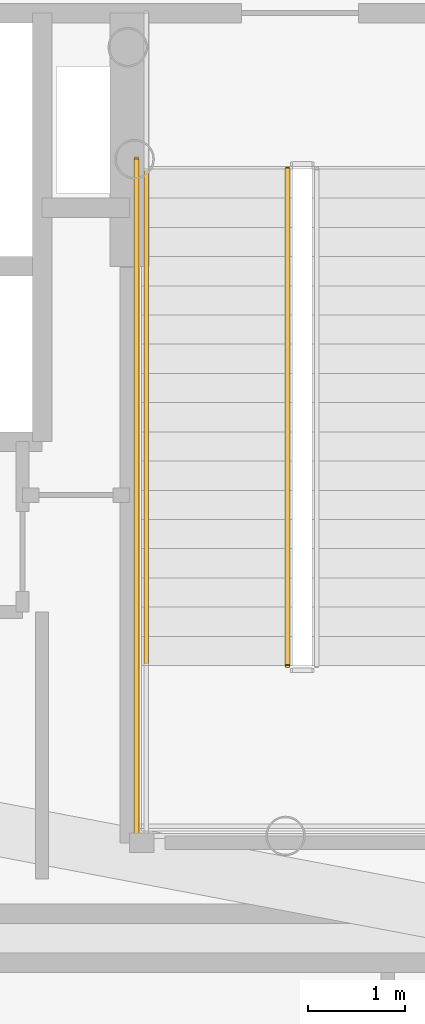
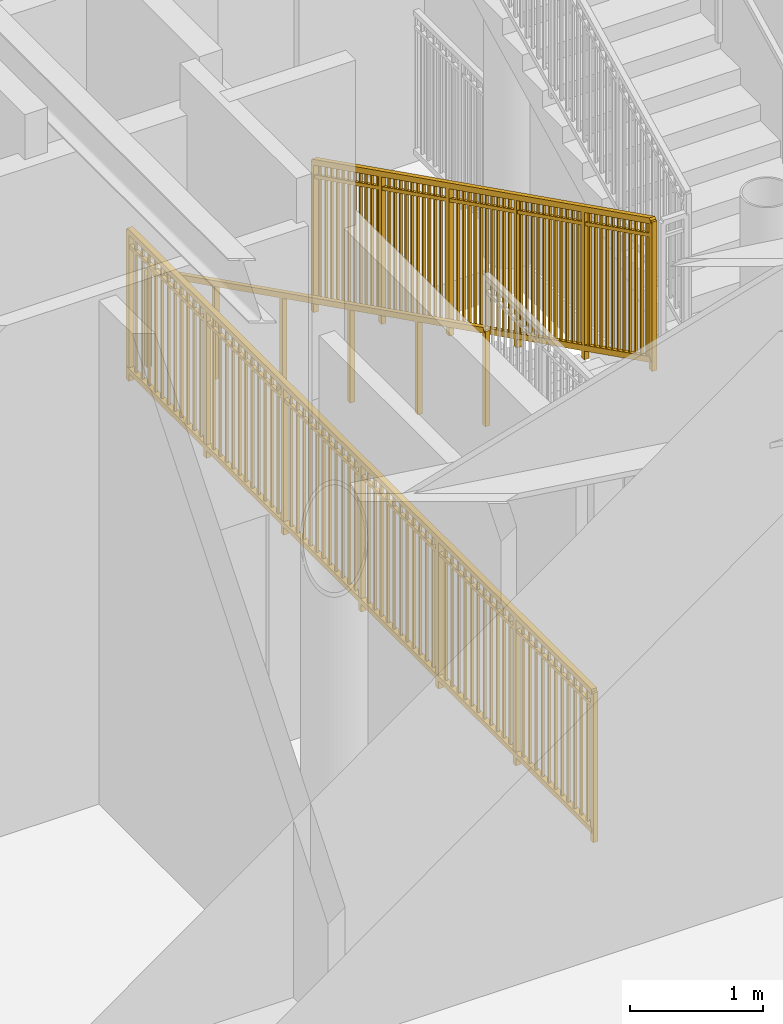
# One storey, part 12 of 14: 3 railings.
"""IFC4 building model written with IfcOpenShell, lengths in metres."""

from ifc_helpers import new_model, si_unit, direction, frame, origin, origin_2d, place, context, subcontext, project, spatial, rectangle, extrude, source, transform, mapped, material, type_object, element, save


model = new_model("IFC4")

# Units and contexts
model_context = context("Model", 3, precision=1e-05, world=origin(), true_north=direction((0.0, 1.0)))
body_context = subcontext(model_context, "Body", "Model", "MODEL_VIEW")
ifc_project = project(units=[si_unit("LENGTHUNIT", "METRE"), si_unit("AREAUNIT", "SQUARE_METRE"), si_unit("VOLUMEUNIT", "CUBIC_METRE"), si_unit("PLANEANGLEUNIT", "RADIAN"), si_unit("MASSUNIT", "GRAM", prefix="KILO")], contexts=[model_context])

# Site, building, storey
site_placement = place(None, origin())
site = spatial("IfcSite", under=ifc_project, at=site_placement, CompositionType="ELEMENT")
building_placement = place(site_placement, origin())
building = spatial("IfcBuilding", under=site, at=building_placement, Name="Linh Dai School and Residence Tower", CompositionType="ELEMENT")
storey_placement = place(building_placement, frame((0.0, 0.0, 262.800048828125)))
storey = spatial("IfcBuildingStorey", under=building, at=storey_placement, Name="L65", CompositionType="ELEMENT", Elevation=262.800048828125)

# Railings
ifc_material_1 = material(Name="Structural Steel S355JR", Category="steel")
railing_type_1 = type_object("IfcRailingType", Name="RL-ST-GUARD-1400", PredefinedType="GUARDRAIL", material=ifc_material_1)
shared_shape_1 = source(origin(), body_context, "Body", "SweptSolid", [
    extrude(rectangle(XDim=0.048095703125, YDim=0.048095703125, at=origin_2d()), frame((0.0, 0.0, 1.3759765625), z_axis=(0.0, -0.894427191, 0.4472135955), x_axis=(1.0, 0.0, 0.0)), (0.0, 0.0, 1.0), 5.7021484375),
    extrude(rectangle(XDim=0.048095703125, YDim=0.048095703125, at=origin_2d()), frame((0.0, 0.0, 0.10009765625), z_axis=(0.0, -0.894427191, 0.4472135955), x_axis=(1.0, 0.0, 0.0)), (0.0, 0.0, 1.0), 5.7021484375),
    extrude(rectangle(XDim=0.030029296875, YDim=0.030029296875, at=origin_2d()), frame((0.0, 0.0, 1.239990234375), z_axis=(0.0, -0.894427191, 0.4472135955), x_axis=(1.0, 0.0, 0.0)), (0.0, 0.0, 1.0), 5.7021484375),
    extrude(rectangle(XDim=0.02001953125, YDim=0.02001953125, at=origin_2d()), frame((0.0, -0.08642578125, 0.143310546875)), (0.0, 0.0, 1.0), 1.251708984375),
    extrude(rectangle(XDim=0.02001953125, YDim=0.02001953125, at=origin_2d()), frame((0.0, -0.1728515625, 0.1865234375)), (0.0, 0.0, 1.0), 1.251708984375),
    extrude(rectangle(XDim=0.02001953125, YDim=0.02001953125, at=origin_2d()), frame((0.0, -0.25927734375, 0.229736328125)), (0.0, 0.0, 1.0), 1.251708984375),
    extrude(rectangle(XDim=0.02001953125, YDim=0.02001953125, at=origin_2d()), frame((0.0, -0.345703125, 0.27294921875)), (0.0, 0.0, 1.0), 1.251708984375),
    extrude(rectangle(XDim=0.02001953125, YDim=0.02001953125, at=origin_2d()), frame((0.0, -0.43212890625, 0.316162109375)), (0.0, 0.0, 1.0), 1.251708984375),
    extrude(rectangle(XDim=0.02001953125, YDim=0.02001953125, at=origin_2d()), frame((0.0, -0.5185546875, 0.359375)), (0.0, 0.0, 1.0), 1.251708984375),
    extrude(rectangle(XDim=0.02001953125, YDim=0.02001953125, at=origin_2d()), frame((0.0, -0.60498046875, 0.402587890625)), (0.0, 0.0, 1.0), 1.251708984375),
    extrude(rectangle(XDim=0.02001953125, YDim=0.02001953125, at=origin_2d()), frame((0.0, -0.691650390625, 0.44580078125)), (0.0, 0.0, 1.0), 1.251708984375),
    extrude(rectangle(XDim=0.02001953125, YDim=0.02001953125, at=origin_2d()), frame((0.0, -0.778076171875, 0.489013671875)), (0.0, 0.0, 1.0), 1.251708984375),
    extrude(rectangle(XDim=0.02001953125, YDim=0.02001953125, at=origin_2d()), frame((0.0, -0.864501953125, 0.5322265625)), (0.0, 0.0, 1.0), 1.251708984375),
    extrude(rectangle(XDim=0.02001953125, YDim=0.02001953125, at=origin_2d()), frame((0.0, -0.950927734375, 0.575439453125)), (0.0, 0.0, 1.0), 1.251708984375),
    extrude(rectangle(XDim=0.02001953125, YDim=0.02001953125, at=origin_2d()), frame((0.0, -1.123779296875, 0.661865234375)), (0.0, 0.0, 1.0), 1.251708984375),
    extrude(rectangle(XDim=0.02001953125, YDim=0.02001953125, at=origin_2d()), frame((0.0, -1.210205078125, 0.705078125)), (0.0, 0.0, 1.0), 1.251708984375),
    extrude(rectangle(XDim=0.02001953125, YDim=0.02001953125, at=origin_2d()), frame((0.0, -1.296630859375, 0.74853515625)), (0.0, 0.0, 1.0), 1.251708984375),
    extrude(rectangle(XDim=0.02001953125, YDim=0.02001953125, at=origin_2d()), frame((0.0, -1.383056640625, 0.791748046875)), (0.0, 0.0, 1.0), 1.251708984375),
    extrude(rectangle(XDim=0.02001953125, YDim=0.02001953125, at=origin_2d()), frame((0.0, -1.469482421875, 0.8349609375)), (0.0, 0.0, 1.0), 1.251708984375),
    extrude(rectangle(XDim=0.02001953125, YDim=0.02001953125, at=origin_2d()), frame((0.0, -1.555908203125, 0.878173828125)), (0.0, 0.0, 1.0), 1.251708984375),
    extrude(rectangle(XDim=0.02001953125, YDim=0.02001953125, at=origin_2d()), frame((0.0, -1.642333984375, 0.92138671875)), (0.0, 0.0, 1.0), 1.251708984375),
    extrude(rectangle(XDim=0.02001953125, YDim=0.02001953125, at=origin_2d()), frame((0.0, -1.728759765625, 0.964599609375)), (0.0, 0.0, 1.0), 1.251708984375),
    extrude(rectangle(XDim=0.02001953125, YDim=0.02001953125, at=origin_2d()), frame((0.0, -1.815185546875, 1.0078125)), (0.0, 0.0, 1.0), 1.251708984375),
    extrude(rectangle(XDim=0.02001953125, YDim=0.02001953125, at=origin_2d()), frame((0.0, -1.901611328125, 1.051025390625)), (0.0, 0.0, 1.0), 1.251708984375),
    extrude(rectangle(XDim=0.02001953125, YDim=0.02001953125, at=origin_2d()), frame((0.0, -1.98828125, 1.09423828125)), (0.0, 0.0, 1.0), 1.251708984375),
    extrude(rectangle(XDim=0.02001953125, YDim=0.02001953125, at=origin_2d()), frame((0.0, -2.1611328125, 1.1806640625)), (0.0, 0.0, 1.0), 1.251708984375),
    extrude(rectangle(XDim=0.02001953125, YDim=0.02001953125, at=origin_2d()), frame((0.0, -2.24755859375, 1.223876953125)), (0.0, 0.0, 1.0), 1.251708984375),
    extrude(rectangle(XDim=0.02001953125, YDim=0.02001953125, at=origin_2d()), frame((0.0, -2.333984375, 1.26708984375)), (0.0, 0.0, 1.0), 1.251708984375),
    extrude(rectangle(XDim=0.02001953125, YDim=0.02001953125, at=origin_2d()), frame((0.0, -2.42041015625, 1.310302734375)), (0.0, 0.0, 1.0), 1.251708984375),
    extrude(rectangle(XDim=0.02001953125, YDim=0.02001953125, at=origin_2d()), frame((0.0, -2.5068359375, 1.353515625)), (0.0, 0.0, 1.0), 1.251708984375),
    extrude(rectangle(XDim=0.02001953125, YDim=0.02001953125, at=origin_2d()), frame((0.0, -2.59326171875, 1.396728515625)), (0.0, 0.0, 1.0), 1.251708984375),
    extrude(rectangle(XDim=0.02001953125, YDim=0.02001953125, at=origin_2d()), frame((0.0, -2.6796875, 1.43994140625)), (0.0, 0.0, 1.0), 1.251708984375),
    extrude(rectangle(XDim=0.02001953125, YDim=0.02001953125, at=origin_2d()), frame((0.0, -2.76611328125, 1.483154296875)), (0.0, 0.0, 1.0), 1.251708984375),
    extrude(rectangle(XDim=0.02001953125, YDim=0.02001953125, at=origin_2d()), frame((0.0, -2.8525390625, 1.5263671875)), (0.0, 0.0, 1.0), 1.251708984375),
    extrude(rectangle(XDim=0.02001953125, YDim=0.02001953125, at=origin_2d()), frame((0.0, -2.93896484375, 1.569580078125)), (0.0, 0.0, 1.0), 1.251708984375),
    extrude(rectangle(XDim=0.02001953125, YDim=0.02001953125, at=origin_2d()), frame((0.0, -3.11181640625, 1.656005859375)), (0.0, 0.0, 1.0), 1.251708984375),
    extrude(rectangle(XDim=0.02001953125, YDim=0.02001953125, at=origin_2d()), frame((0.0, -3.198486328125, 1.69921875)), (0.0, 0.0, 1.0), 1.251708984375),
    extrude(rectangle(XDim=0.02001953125, YDim=0.02001953125, at=origin_2d()), frame((0.0, -3.284912109375, 1.742431640625)), (0.0, 0.0, 1.0), 1.251708984375),
    extrude(rectangle(XDim=0.02001953125, YDim=0.02001953125, at=origin_2d()), frame((0.0, -3.371337890625, 1.78564453125)), (0.0, 0.0, 1.0), 1.251708984375),
    extrude(rectangle(XDim=0.02001953125, YDim=0.02001953125, at=origin_2d()), frame((0.0, -3.457763671875, 1.828857421875)), (0.0, 0.0, 1.0), 1.251708984375),
    extrude(rectangle(XDim=0.02001953125, YDim=0.02001953125, at=origin_2d()), frame((0.0, -3.544189453125, 1.8720703125)), (0.0, 0.0, 1.0), 1.251708984375),
    extrude(rectangle(XDim=0.02001953125, YDim=0.02001953125, at=origin_2d()), frame((0.0, -3.630615234375, 1.915283203125)), (0.0, 0.0, 1.0), 1.251708984375),
    extrude(rectangle(XDim=0.02001953125, YDim=0.02001953125, at=origin_2d()), frame((0.0, -3.717041015625, 1.95849609375)), (0.0, 0.0, 1.0), 1.251708984375),
    extrude(rectangle(XDim=0.02001953125, YDim=0.02001953125, at=origin_2d()), frame((0.0, -3.803466796875, 2.001708984375)), (0.0, 0.0, 1.0), 1.251708984375),
    extrude(rectangle(XDim=0.02001953125, YDim=0.02001953125, at=origin_2d()), frame((0.0, -3.889892578125, 2.045166015625)), (0.0, 0.0, 1.0), 1.251708984375),
    extrude(rectangle(XDim=0.02001953125, YDim=0.02001953125, at=origin_2d()), frame((0.0, -3.976318359375, 2.08837890625)), (0.0, 0.0, 1.0), 1.251708984375),
    extrude(rectangle(XDim=0.02001953125, YDim=0.02001953125, at=origin_2d()), frame((0.0, -4.149169921875, 2.1748046875)), (0.0, 0.0, 1.0), 1.251708984375),
    extrude(rectangle(XDim=0.02001953125, YDim=0.02001953125, at=origin_2d()), frame((0.0, -4.235595703125, 2.218017578125)), (0.0, 0.0, 1.0), 1.251708984375),
    extrude(rectangle(XDim=0.02001953125, YDim=0.02001953125, at=origin_2d()), frame((0.0, -4.322021484375, 2.26123046875)), (0.0, 0.0, 1.0), 1.251708984375),
    extrude(rectangle(XDim=0.02001953125, YDim=0.02001953125, at=origin_2d()), frame((0.0, -4.408447265625, 2.304443359375)), (0.0, 0.0, 1.0), 1.251708984375),
    extrude(rectangle(XDim=0.02001953125, YDim=0.02001953125, at=origin_2d()), frame((0.0, -4.4951171875, 2.34765625)), (0.0, 0.0, 1.0), 1.251708984375),
    extrude(rectangle(XDim=0.02001953125, YDim=0.02001953125, at=origin_2d()), frame((0.0, -4.58154296875, 2.390869140625)), (0.0, 0.0, 1.0), 1.251708984375),
    extrude(rectangle(XDim=0.02001953125, YDim=0.02001953125, at=origin_2d()), frame((0.0, -4.66796875, 2.43408203125)), (0.0, 0.0, 1.0), 1.251708984375),
    extrude(rectangle(XDim=0.02001953125, YDim=0.02001953125, at=origin_2d()), frame((0.0, -4.75439453125, 2.477294921875)), (0.0, 0.0, 1.0), 1.251708984375),
    extrude(rectangle(XDim=0.02001953125, YDim=0.02001953125, at=origin_2d()), frame((0.0, -4.8408203125, 2.5205078125)), (0.0, 0.0, 1.0), 1.251708984375),
    extrude(rectangle(XDim=0.02001953125, YDim=0.02001953125, at=origin_2d()), frame((0.0, -4.92724609375, 2.563720703125)), (0.0, 0.0, 1.0), 1.251708984375),
    extrude(rectangle(XDim=0.02001953125, YDim=0.02001953125, at=origin_2d()), frame((0.0, -5.013671875, 2.60693359375)), (0.0, 0.0, 1.0), 1.251708984375),
    extrude(rectangle(XDim=0.0419921875, YDim=0.0419921875, at=origin_2d()), origin(), (0.0, 0.0, 1.0), 1.3759765625),
    extrude(rectangle(XDim=0.0419921875, YDim=0.0419921875, at=origin_2d()), frame((0.0, -1.02001953125, 0.510009765625)), (0.0, 0.0, 1.0), 1.3759765625),
    extrude(rectangle(XDim=0.0419921875, YDim=0.0419921875, at=origin_2d()), frame((0.0, -2.0400390625, 1.02001953125)), (0.0, 0.0, 1.0), 1.3759765625),
    extrude(rectangle(XDim=0.0419921875, YDim=0.0419921875, at=origin_2d()), frame((0.0, -3.06005859375, 1.530029296875)), (0.0, 0.0, 1.0), 1.3759765625),
    extrude(rectangle(XDim=0.0419921875, YDim=0.0419921875, at=origin_2d()), frame((0.0, -4.080078125, 2.0400390625)), (0.0, 0.0, 1.0), 1.3759765625),
    extrude(rectangle(XDim=0.0419921875, YDim=0.0419921875, at=origin_2d()), frame((0.0, -5.10009765625, 2.550048828125)), (0.0, 0.0, 1.0), 1.3759765625),
])
railing_1_placement = place(storey_placement, frame((42.52001953125, 28.25, 0.14990234375)))
element("IfcRailing", 1, at=railing_1_placement, inside=storey, type_object=railing_type_1, Name="L65 ST2 stair guard 1", PredefinedType="GUARDRAIL", context=body_context, shape_type="MappedRepresentation", body=[
    mapped(shared_shape_1, transform((0.0, 0.0, 0.0), x_axis=(1.0, 0.0, 0.0), y_axis=(0.0, 1.0, 0.0), z_axis=(0.0, 0.0, 1.0), scale=1.0)),
])
ifc_material_2 = material(Name="Brushed Stainless Steel Handrail", Category="steel")
railing_type_2 = type_object("IfcRailingType", Name="RL-ST-HANDRAIL-900", PredefinedType="HANDRAIL", material=ifc_material_2)
shared_shape_2 = source(origin(), body_context, "Body", "SweptSolid", [
    extrude(rectangle(XDim=0.048095703125, YDim=0.048095703125, at=origin_2d()), frame((0.0, 0.0, 0.8759765625), z_axis=(0.0, -0.894427191, 0.4472135955), x_axis=(1.0, 0.0, 0.0)), (0.0, 0.0, 1.0), 5.7021484375),
    extrude(rectangle(XDim=0.0419921875, YDim=0.0419921875, at=origin_2d()), origin(), (0.0, 0.0, 1.0), 0.8759765625),
    extrude(rectangle(XDim=0.0419921875, YDim=0.0419921875, at=origin_2d()), frame((0.0, -1.02001953125, 0.510009765625)), (0.0, 0.0, 1.0), 0.8759765625),
    extrude(rectangle(XDim=0.0419921875, YDim=0.0419921875, at=origin_2d()), frame((0.0, -2.0400390625, 1.02001953125)), (0.0, 0.0, 1.0), 0.8759765625),
    extrude(rectangle(XDim=0.0419921875, YDim=0.0419921875, at=origin_2d()), frame((0.0, -3.06005859375, 1.530029296875)), (0.0, 0.0, 1.0), 0.8759765625),
    extrude(rectangle(XDim=0.0419921875, YDim=0.0419921875, at=origin_2d()), frame((0.0, -4.080078125, 2.0400390625)), (0.0, 0.0, 1.0), 0.8759765625),
    extrude(rectangle(XDim=0.0419921875, YDim=0.0419921875, at=origin_2d()), frame((0.0, -5.10009765625, 2.550048828125)), (0.0, 0.0, 1.0), 0.8759765625),
])
railing_2_placement = place(storey_placement, frame((41.070068359375, 28.25, 0.14990234375)))
element("IfcRailing", 2, at=railing_2_placement, inside=storey, type_object=railing_type_2, Name="L65 ST2 stair handrail 1", PredefinedType="HANDRAIL", context=body_context, shape_type="MappedRepresentation", body=[
    mapped(shared_shape_2, transform((0.0, 0.0, 0.0), x_axis=(1.0, 0.0, 0.0), y_axis=(0.0, 1.0, 0.0), z_axis=(0.0, 0.0, 1.0), scale=1.0)),
])
shared_shape_3 = source(origin(), body_context, "Body", "SweptSolid", [
    extrude(rectangle(XDim=0.048095703125, YDim=0.048095703125, at=origin_2d()), frame((0.0, 0.0, 1.3759765625), z_axis=(0.0, -1.0, 0.0), x_axis=(1.0, 0.0, 0.0)), (0.0, 0.0, 1.0), 7.0),
    extrude(rectangle(XDim=0.048095703125, YDim=0.048095703125, at=origin_2d()), frame((0.0, 0.0, 0.10009765625), z_axis=(0.0, -1.0, 0.0), x_axis=(1.0, 0.0, 0.0)), (0.0, 0.0, 1.0), 7.0),
    extrude(rectangle(XDim=0.030029296875, YDim=0.030029296875, at=origin_2d()), frame((0.0, 0.0, 1.239990234375), z_axis=(0.0, -1.0, 0.0), x_axis=(1.0, 0.0, 0.0)), (0.0, 0.0, 1.0), 7.0),
    extrude(rectangle(XDim=0.02001953125, YDim=0.02001953125, at=origin_2d()), frame((0.0, -0.09716796875, 0.10009765625)), (0.0, 0.0, 1.0), 1.251708984375),
    extrude(rectangle(XDim=0.02001953125, YDim=0.02001953125, at=origin_2d()), frame((0.0, -0.1943359375, 0.10009765625)), (0.0, 0.0, 1.0), 1.251708984375),
    extrude(rectangle(XDim=0.02001953125, YDim=0.02001953125, at=origin_2d()), frame((0.0, -0.291748046875, 0.10009765625)), (0.0, 0.0, 1.0), 1.251708984375),
    extrude(rectangle(XDim=0.02001953125, YDim=0.02001953125, at=origin_2d()), frame((0.0, -0.388916015625, 0.10009765625)), (0.0, 0.0, 1.0), 1.251708984375),
    extrude(rectangle(XDim=0.02001953125, YDim=0.02001953125, at=origin_2d()), frame((0.0, -0.486083984375, 0.10009765625)), (0.0, 0.0, 1.0), 1.251708984375),
    extrude(rectangle(XDim=0.02001953125, YDim=0.02001953125, at=origin_2d()), frame((0.0, -0.583251953125, 0.10009765625)), (0.0, 0.0, 1.0), 1.251708984375),
    extrude(rectangle(XDim=0.02001953125, YDim=0.02001953125, at=origin_2d()), frame((0.0, -0.6806640625, 0.10009765625)), (0.0, 0.0, 1.0), 1.251708984375),
    extrude(rectangle(XDim=0.02001953125, YDim=0.02001953125, at=origin_2d()), frame((0.0, -0.77783203125, 0.10009765625)), (0.0, 0.0, 1.0), 1.251708984375),
    extrude(rectangle(XDim=0.02001953125, YDim=0.02001953125, at=origin_2d()), frame((0.0, -0.875, 0.10009765625)), (0.0, 0.0, 1.0), 1.251708984375),
    extrude(rectangle(XDim=0.02001953125, YDim=0.02001953125, at=origin_2d()), frame((0.0, -0.97216796875, 0.10009765625)), (0.0, 0.0, 1.0), 1.251708984375),
    extrude(rectangle(XDim=0.02001953125, YDim=0.02001953125, at=origin_2d()), frame((0.0, -1.0693359375, 0.10009765625)), (0.0, 0.0, 1.0), 1.251708984375),
    extrude(rectangle(XDim=0.02001953125, YDim=0.02001953125, at=origin_2d()), frame((0.0, -1.263916015625, 0.10009765625)), (0.0, 0.0, 1.0), 1.251708984375),
    extrude(rectangle(XDim=0.02001953125, YDim=0.02001953125, at=origin_2d()), frame((0.0, -1.361083984375, 0.10009765625)), (0.0, 0.0, 1.0), 1.251708984375),
    extrude(rectangle(XDim=0.02001953125, YDim=0.02001953125, at=origin_2d()), frame((0.0, -1.458251953125, 0.10009765625)), (0.0, 0.0, 1.0), 1.251708984375),
    extrude(rectangle(XDim=0.02001953125, YDim=0.02001953125, at=origin_2d()), frame((0.0, -1.5556640625, 0.10009765625)), (0.0, 0.0, 1.0), 1.251708984375),
    extrude(rectangle(XDim=0.02001953125, YDim=0.02001953125, at=origin_2d()), frame((0.0, -1.65283203125, 0.10009765625)), (0.0, 0.0, 1.0), 1.251708984375),
    extrude(rectangle(XDim=0.02001953125, YDim=0.02001953125, at=origin_2d()), frame((0.0, -1.75, 0.10009765625)), (0.0, 0.0, 1.0), 1.251708984375),
    extrude(rectangle(XDim=0.02001953125, YDim=0.02001953125, at=origin_2d()), frame((0.0, -1.84716796875, 0.10009765625)), (0.0, 0.0, 1.0), 1.251708984375),
    extrude(rectangle(XDim=0.02001953125, YDim=0.02001953125, at=origin_2d()), frame((0.0, -1.9443359375, 0.10009765625)), (0.0, 0.0, 1.0), 1.251708984375),
    extrude(rectangle(XDim=0.02001953125, YDim=0.02001953125, at=origin_2d()), frame((0.0, -2.041748046875, 0.10009765625)), (0.0, 0.0, 1.0), 1.251708984375),
    extrude(rectangle(XDim=0.02001953125, YDim=0.02001953125, at=origin_2d()), frame((0.0, -2.138916015625, 0.10009765625)), (0.0, 0.0, 1.0), 1.251708984375),
    extrude(rectangle(XDim=0.02001953125, YDim=0.02001953125, at=origin_2d()), frame((0.0, -2.236083984375, 0.10009765625)), (0.0, 0.0, 1.0), 1.251708984375),
    extrude(rectangle(XDim=0.02001953125, YDim=0.02001953125, at=origin_2d()), frame((0.0, -2.4306640625, 0.10009765625)), (0.0, 0.0, 1.0), 1.251708984375),
    extrude(rectangle(XDim=0.02001953125, YDim=0.02001953125, at=origin_2d()), frame((0.0, -2.52783203125, 0.10009765625)), (0.0, 0.0, 1.0), 1.251708984375),
    extrude(rectangle(XDim=0.02001953125, YDim=0.02001953125, at=origin_2d()), frame((0.0, -2.625, 0.10009765625)), (0.0, 0.0, 1.0), 1.251708984375),
    extrude(rectangle(XDim=0.02001953125, YDim=0.02001953125, at=origin_2d()), frame((0.0, -2.72216796875, 0.10009765625)), (0.0, 0.0, 1.0), 1.251708984375),
    extrude(rectangle(XDim=0.02001953125, YDim=0.02001953125, at=origin_2d()), frame((0.0, -2.8193359375, 0.10009765625)), (0.0, 0.0, 1.0), 1.251708984375),
    extrude(rectangle(XDim=0.02001953125, YDim=0.02001953125, at=origin_2d()), frame((0.0, -2.916748046875, 0.10009765625)), (0.0, 0.0, 1.0), 1.251708984375),
    extrude(rectangle(XDim=0.02001953125, YDim=0.02001953125, at=origin_2d()), frame((0.0, -3.013916015625, 0.10009765625)), (0.0, 0.0, 1.0), 1.251708984375),
    extrude(rectangle(XDim=0.02001953125, YDim=0.02001953125, at=origin_2d()), frame((0.0, -3.111083984375, 0.10009765625)), (0.0, 0.0, 1.0), 1.251708984375),
    extrude(rectangle(XDim=0.02001953125, YDim=0.02001953125, at=origin_2d()), frame((0.0, -3.208251953125, 0.10009765625)), (0.0, 0.0, 1.0), 1.251708984375),
    extrude(rectangle(XDim=0.02001953125, YDim=0.02001953125, at=origin_2d()), frame((0.0, -3.3056640625, 0.10009765625)), (0.0, 0.0, 1.0), 1.251708984375),
    extrude(rectangle(XDim=0.02001953125, YDim=0.02001953125, at=origin_2d()), frame((0.0, -3.40283203125, 0.10009765625)), (0.0, 0.0, 1.0), 1.251708984375),
    extrude(rectangle(XDim=0.02001953125, YDim=0.02001953125, at=origin_2d()), frame((0.0, -3.59716796875, 0.10009765625)), (0.0, 0.0, 1.0), 1.251708984375),
    extrude(rectangle(XDim=0.02001953125, YDim=0.02001953125, at=origin_2d()), frame((0.0, -3.6943359375, 0.10009765625)), (0.0, 0.0, 1.0), 1.251708984375),
    extrude(rectangle(XDim=0.02001953125, YDim=0.02001953125, at=origin_2d()), frame((0.0, -3.791748046875, 0.10009765625)), (0.0, 0.0, 1.0), 1.251708984375),
    extrude(rectangle(XDim=0.02001953125, YDim=0.02001953125, at=origin_2d()), frame((0.0, -3.888916015625, 0.10009765625)), (0.0, 0.0, 1.0), 1.251708984375),
    extrude(rectangle(XDim=0.02001953125, YDim=0.02001953125, at=origin_2d()), frame((0.0, -3.986083984375, 0.10009765625)), (0.0, 0.0, 1.0), 1.251708984375),
    extrude(rectangle(XDim=0.02001953125, YDim=0.02001953125, at=origin_2d()), frame((0.0, -4.083251953125, 0.10009765625)), (0.0, 0.0, 1.0), 1.251708984375),
    extrude(rectangle(XDim=0.02001953125, YDim=0.02001953125, at=origin_2d()), frame((0.0, -4.1806640625, 0.10009765625)), (0.0, 0.0, 1.0), 1.251708984375),
    extrude(rectangle(XDim=0.02001953125, YDim=0.02001953125, at=origin_2d()), frame((0.0, -4.27783203125, 0.10009765625)), (0.0, 0.0, 1.0), 1.251708984375),
    extrude(rectangle(XDim=0.02001953125, YDim=0.02001953125, at=origin_2d()), frame((0.0, -4.375, 0.10009765625)), (0.0, 0.0, 1.0), 1.251708984375),
    extrude(rectangle(XDim=0.02001953125, YDim=0.02001953125, at=origin_2d()), frame((0.0, -4.47216796875, 0.10009765625)), (0.0, 0.0, 1.0), 1.251708984375),
    extrude(rectangle(XDim=0.02001953125, YDim=0.02001953125, at=origin_2d()), frame((0.0, -4.5693359375, 0.10009765625)), (0.0, 0.0, 1.0), 1.251708984375),
    extrude(rectangle(XDim=0.02001953125, YDim=0.02001953125, at=origin_2d()), frame((0.0, -4.763916015625, 0.10009765625)), (0.0, 0.0, 1.0), 1.251708984375),
    extrude(rectangle(XDim=0.02001953125, YDim=0.02001953125, at=origin_2d()), frame((0.0, -4.861083984375, 0.10009765625)), (0.0, 0.0, 1.0), 1.251708984375),
    extrude(rectangle(XDim=0.02001953125, YDim=0.02001953125, at=origin_2d()), frame((0.0, -4.958251953125, 0.10009765625)), (0.0, 0.0, 1.0), 1.251708984375),
    extrude(rectangle(XDim=0.02001953125, YDim=0.02001953125, at=origin_2d()), frame((0.0, -5.0556640625, 0.10009765625)), (0.0, 0.0, 1.0), 1.251708984375),
    extrude(rectangle(XDim=0.02001953125, YDim=0.02001953125, at=origin_2d()), frame((0.0, -5.15283203125, 0.10009765625)), (0.0, 0.0, 1.0), 1.251708984375),
    extrude(rectangle(XDim=0.02001953125, YDim=0.02001953125, at=origin_2d()), frame((0.0, -5.25, 0.10009765625)), (0.0, 0.0, 1.0), 1.251708984375),
    extrude(rectangle(XDim=0.02001953125, YDim=0.02001953125, at=origin_2d()), frame((0.0, -5.34716796875, 0.10009765625)), (0.0, 0.0, 1.0), 1.251708984375),
    extrude(rectangle(XDim=0.02001953125, YDim=0.02001953125, at=origin_2d()), frame((0.0, -5.4443359375, 0.10009765625)), (0.0, 0.0, 1.0), 1.251708984375),
    extrude(rectangle(XDim=0.02001953125, YDim=0.02001953125, at=origin_2d()), frame((0.0, -5.541748046875, 0.10009765625)), (0.0, 0.0, 1.0), 1.251708984375),
    extrude(rectangle(XDim=0.02001953125, YDim=0.02001953125, at=origin_2d()), frame((0.0, -5.638916015625, 0.10009765625)), (0.0, 0.0, 1.0), 1.251708984375),
    extrude(rectangle(XDim=0.02001953125, YDim=0.02001953125, at=origin_2d()), frame((0.0, -5.736083984375, 0.10009765625)), (0.0, 0.0, 1.0), 1.251708984375),
    extrude(rectangle(XDim=0.02001953125, YDim=0.02001953125, at=origin_2d()), frame((0.0, -5.9306640625, 0.10009765625)), (0.0, 0.0, 1.0), 1.251708984375),
    extrude(rectangle(XDim=0.02001953125, YDim=0.02001953125, at=origin_2d()), frame((0.0, -6.02783203125, 0.10009765625)), (0.0, 0.0, 1.0), 1.251708984375),
    extrude(rectangle(XDim=0.02001953125, YDim=0.02001953125, at=origin_2d()), frame((0.0, -6.125, 0.10009765625)), (0.0, 0.0, 1.0), 1.251708984375),
    extrude(rectangle(XDim=0.02001953125, YDim=0.02001953125, at=origin_2d()), frame((0.0, -6.22216796875, 0.10009765625)), (0.0, 0.0, 1.0), 1.251708984375),
    extrude(rectangle(XDim=0.02001953125, YDim=0.02001953125, at=origin_2d()), frame((0.0, -6.3193359375, 0.10009765625)), (0.0, 0.0, 1.0), 1.251708984375),
    extrude(rectangle(XDim=0.02001953125, YDim=0.02001953125, at=origin_2d()), frame((0.0, -6.416748046875, 0.10009765625)), (0.0, 0.0, 1.0), 1.251708984375),
    extrude(rectangle(XDim=0.02001953125, YDim=0.02001953125, at=origin_2d()), frame((0.0, -6.513916015625, 0.10009765625)), (0.0, 0.0, 1.0), 1.251708984375),
    extrude(rectangle(XDim=0.02001953125, YDim=0.02001953125, at=origin_2d()), frame((0.0, -6.611083984375, 0.10009765625)), (0.0, 0.0, 1.0), 1.251708984375),
    extrude(rectangle(XDim=0.02001953125, YDim=0.02001953125, at=origin_2d()), frame((0.0, -6.708251953125, 0.10009765625)), (0.0, 0.0, 1.0), 1.251708984375),
    extrude(rectangle(XDim=0.02001953125, YDim=0.02001953125, at=origin_2d()), frame((0.0, -6.8056640625, 0.10009765625)), (0.0, 0.0, 1.0), 1.251708984375),
    extrude(rectangle(XDim=0.02001953125, YDim=0.02001953125, at=origin_2d()), frame((0.0, -6.90283203125, 0.10009765625)), (0.0, 0.0, 1.0), 1.251708984375),
    extrude(rectangle(XDim=0.0419921875, YDim=0.0419921875, at=origin_2d()), origin(), (0.0, 0.0, 1.0), 1.3759765625),
    extrude(rectangle(XDim=0.0419921875, YDim=0.0419921875, at=origin_2d()), frame((0.0, -1.166748046875, 0.0)), (0.0, 0.0, 1.0), 1.3759765625),
    extrude(rectangle(XDim=0.0419921875, YDim=0.0419921875, at=origin_2d()), frame((0.0, -2.333251953125, 0.0)), (0.0, 0.0, 1.0), 1.3759765625),
    extrude(rectangle(XDim=0.0419921875, YDim=0.0419921875, at=origin_2d()), frame((0.0, -3.5, 0.0)), (0.0, 0.0, 1.0), 1.3759765625),
    extrude(rectangle(XDim=0.0419921875, YDim=0.0419921875, at=origin_2d()), frame((0.0, -4.666748046875, 0.0)), (0.0, 0.0, 1.0), 1.3759765625),
    extrude(rectangle(XDim=0.0419921875, YDim=0.0419921875, at=origin_2d()), frame((0.0, -5.833251953125, 0.0)), (0.0, 0.0, 1.0), 1.3759765625),
    extrude(rectangle(XDim=0.0419921875, YDim=0.0419921875, at=origin_2d()), frame((0.0, -7.0, 0.0)), (0.0, 0.0, 1.0), 1.3759765625),
])
railing_3_placement = place(storey_placement, frame((40.969970703125, 28.35009765625, 0.0)))
element("IfcRailing", 3, at=railing_3_placement, inside=storey, type_object=railing_type_1, Name="L65 ST2 stair guard 10", PredefinedType="GUARDRAIL", context=body_context, shape_type="MappedRepresentation", body=[
    mapped(shared_shape_3, transform((0.0, 0.0, 0.0), x_axis=(1.0, 0.0, 0.0), y_axis=(0.0, 1.0, 0.0), z_axis=(0.0, 0.0, 1.0), scale=1.0)),
])

save(model, "model.ifc")
